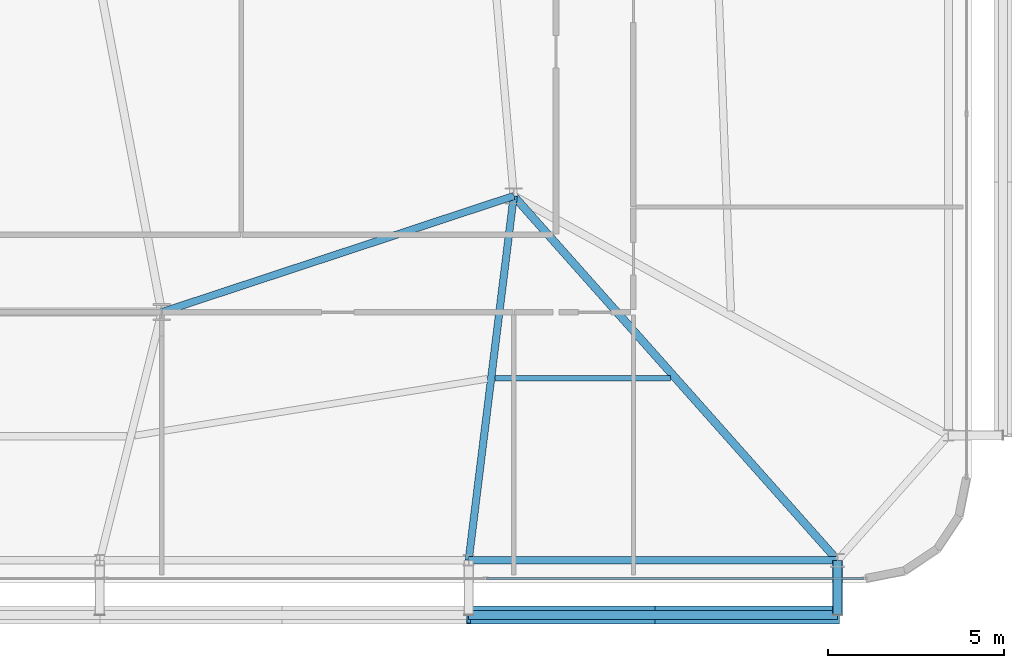
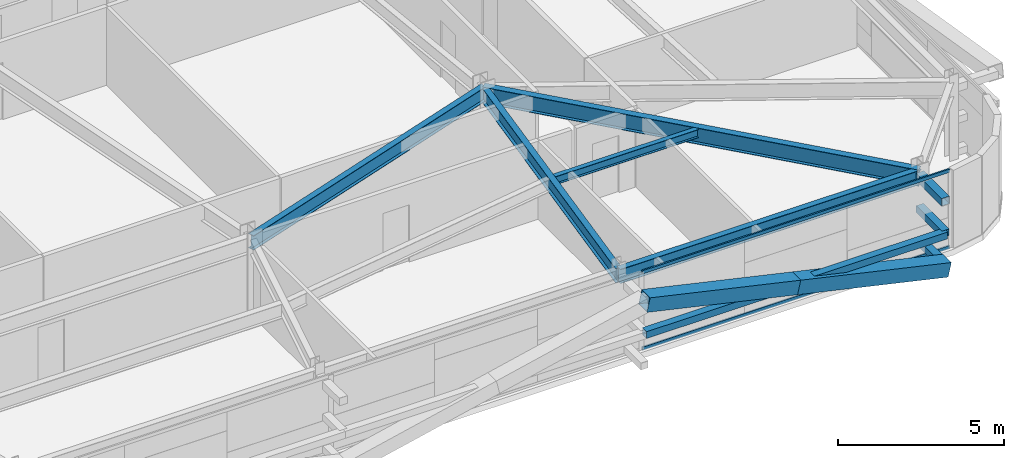
# One storey, part 14 of 45: 8 members, 5 beams, 1 element without a shape of its own.
"""IFC4 building model written with IfcOpenShell, lengths in metres."""

from ifc_helpers import new_model, si_unit, direction, frame, origin, origin_2d, place, context, subcontext, project, spatial, hollow_rectangle, i_section, extrude, source, transform, mapped, material, layer, layer_set, material_profile, profile_set, type_object, element, aggregate, save


model = new_model("IFC4")

# Units and contexts
model_context = context("Model", 3, precision=1e-05, world=origin(), true_north=direction((0.0, 1.0)))
body_context = subcontext(model_context, "Body", "Model", "MODEL_VIEW")
ifc_project = project(units=[si_unit("LENGTHUNIT", "METRE"), si_unit("AREAUNIT", "SQUARE_METRE"), si_unit("VOLUMEUNIT", "CUBIC_METRE"), si_unit("PLANEANGLEUNIT", "RADIAN"), si_unit("MASSUNIT", "GRAM", prefix="KILO")], contexts=[model_context])

# Site, building, storey
site_placement = place(None, origin())
site = spatial("IfcSite", under=ifc_project, at=site_placement, CompositionType="ELEMENT")
building_placement = place(site_placement, origin())
building = spatial("IfcBuilding", under=site, at=building_placement, Name="Taldren Reach Tower", CompositionType="ELEMENT")
storey_placement = place(building_placement, frame((0.0, 0.0, 57.75)))
storey = spatial("IfcBuildingStorey", under=building, at=storey_placement, Name="L17", CompositionType="ELEMENT", Elevation=57.75)

# Beams
ifc_material_1 = material(Name="Steel Gr 350 (350PLUS)", Category="steel")
ifc_material_profile_1 = material_profile(ifc_material_1, i_section(OverallWidth=0.208984375, OverallDepth=0.532958984375, WebThickness=0.01025390625, FlangeThickness=0.015625, at=origin_2d()), Name="530UB92.4")
ifc_profile_set_1 = profile_set([ifc_material_profile_1], Name="Steel Gr 350 (350PLUS)")
beam_type_1 = type_object("IfcBeamType", Name="BM-UB530A", PredefinedType="BEAM", material=ifc_profile_set_1)
shared_shape_1 = source(origin(), body_context, "Body", "SweptSolid", [
    extrude(i_section(OverallWidth=0.208984375, OverallDepth=0.532958984375, WebThickness=0.01025390625, FlangeThickness=0.015625, at=origin_2d()), origin(), (0.0, 0.0, 1.0), 10.530517578125),
])
beam_1_placement = place(storey_placement, frame((42.0, 9.199951171875, 2.603515625), z_axis=(0.949627269203, 0.313381635689, 0.0), x_axis=(-0.313381635689, 0.949627269203, 0.0)))
element("IfcBeam", 1, at=beam_1_placement, inside=storey, type_object=beam_type_1, Name="Core-spine girder L17-SP12", PredefinedType="BEAM", context=body_context, shape_type="MappedRepresentation", body=[
    mapped(shared_shape_1, transform((0.0, 0.0, 0.0), scale=1.0)),
])
ifc_material_profile_2 = material_profile(ifc_material_1, i_section(OverallWidth=0.208984375, OverallDepth=0.528076171875, WebThickness=0.009521484375, FlangeThickness=0.01318359375, at=origin_2d()), Name="530UB82.0")
ifc_profile_set_2 = profile_set([ifc_material_profile_2], Name="Steel Gr 350 (350PLUS)")
beam_type_2 = type_object("IfcBeamType", Name="SP-UB530B", PredefinedType="SPANDREL", material=ifc_profile_set_2)
shared_shape_2 = source(origin(), body_context, "Body", "SweptSolid", [
    extrude(i_section(OverallWidth=0.208984375, OverallDepth=0.528076171875, WebThickness=0.009521484375, FlangeThickness=0.01318359375, at=origin_2d()), origin(), (0.0, 0.0, 1.0), 10.47998046875),
])
beam_2_placement = place(storey_placement, frame((50.719970703125, 2.14990234375, 2.60595703125), z_axis=(1.0, 0.0, 0.0), x_axis=(0.0, 1.0, 0.0)))
element("IfcBeam", 2, at=beam_2_placement, inside=storey, type_object=beam_type_2, Name="Perimeter spandrel B1 S5-S6 L17", PredefinedType="SPANDREL", context=body_context, shape_type="MappedRepresentation", body=[
    mapped(shared_shape_2, transform((0.0, 0.0, 0.0), scale=1.0)),
])
ifc_material_profile_3 = material_profile(ifc_material_1, i_section(OverallWidth=0.22802734375, OverallDepth=0.60205078125, WebThickness=0.010498046875, FlangeThickness=0.014892578125, at=origin_2d()), Name="610UB101")
ifc_profile_set_3 = profile_set([ifc_material_profile_3], Name="Steel Gr 350 (350PLUS)")
beam_type_3 = type_object("IfcBeamType", Name="BM-UB610B", PredefinedType="BEAM", material=ifc_profile_set_3)
shared_shape_3 = source(origin(), body_context, "Body", "SweptSolid", [
    extrude(i_section(OverallWidth=0.22802734375, OverallDepth=0.60205078125, WebThickness=0.010498046875, FlangeThickness=0.014892578125, at=origin_2d()), origin(), (0.0, 0.0, 1.0), 13.847900390625),
])
beam_3_placement = place(storey_placement, frame((52.0, 12.5, 2.569091796875), z_axis=(0.664358367375, -0.747414182164, 0.0), x_axis=(0.747414182164, 0.664358367375, 0.0)))
element("IfcBeam", 3, at=beam_3_placement, inside=storey, type_object=beam_type_3, Name="Primary floor girder B1-S6 L17", PredefinedType="BEAM", context=body_context, shape_type="MappedRepresentation", body=[
    mapped(shared_shape_3, transform((0.0, 0.0, 0.0), scale=1.0)),
])
shared_shape_4 = source(origin(), body_context, "Body", "SweptSolid", [
    extrude(i_section(OverallWidth=0.208984375, OverallDepth=0.532958984375, WebThickness=0.01025390625, FlangeThickness=0.015625, at=origin_2d()), origin(), (0.0, 0.0, 1.0), 10.428955078125),
])
beam_4_placement = place(storey_placement, frame((52.0, 12.5, 2.603515625), z_axis=(-0.122738080664, -0.992439098159, 0.0), x_axis=(0.992439098159, -0.122738080664, 0.0)))
element("IfcBeam", 4, at=beam_4_placement, inside=storey, type_object=beam_type_1, Name="Primary floor girder B1-S5 L17", PredefinedType="BEAM", context=body_context, shape_type="MappedRepresentation", body=[
    mapped(shared_shape_4, transform((0.0, 0.0, 0.0), scale=1.0)),
])
ifc_material_2 = material(Name="Steel Gr 300 (300PLUS, 300 MPa)", Category="steel")
ifc_material_profile_4 = material_profile(ifc_material_2, i_section(OverallWidth=0.166015625, OverallDepth=0.306884765625, WebThickness=0.006591796875, FlangeThickness=0.01171875, at=origin_2d()), Name="310UB46.2")
ifc_profile_set_4 = profile_set([ifc_material_profile_4], Name="Steel Gr 300 (300PLUS, 300 MPa)")
beam_type_4 = type_object("IfcBeamType", Name="JS-UB310", PredefinedType="JOIST", material=ifc_profile_set_4)
shared_shape_5 = source(origin(), body_context, "Body", "SweptSolid", [
    extrude(i_section(OverallWidth=0.166015625, OverallDepth=0.306884765625, WebThickness=0.006591796875, FlangeThickness=0.01171875, at=origin_2d()), origin(), (0.0, 0.0, 1.0), 4.982177734375),
])
beam_5_placement = place(storey_placement, frame((51.46533203125, 7.324951171875, 2.716552734375), z_axis=(1.0, 0.0, 0.0), x_axis=(0.0, 1.0, 0.0)))
element("IfcBeam", 5, at=beam_5_placement, inside=storey, type_object=beam_type_4, Name="Secondary floor joist B1 J5 L17", PredefinedType="JOIST", context=body_context, shape_type="MappedRepresentation", body=[
    mapped(shared_shape_5, transform((0.0, 0.0, 0.0), scale=1.0)),
])

# Members
ifc_material_3 = material(Name="Steel Gr 450 (C450L0)", Category="steel")
ifc_material_profile_5 = material_profile(ifc_material_3, hollow_rectangle(XDim=0.27490234375, YDim=0.27490234375, WallThickness=0.00927734375, at=origin_2d()), Name="275x275x9.3SHS")
ifc_profile_set_5 = profile_set([ifc_material_profile_5], Name="Steel Gr 450 (C450L0)")
member_type_1 = type_object("IfcMemberType", Name="MB-TIE273", PredefinedType="STRUT", material=ifc_profile_set_5)
shared_shape_6 = source(origin(), body_context, "Body", "SweptSolid", [
    extrude(hollow_rectangle(XDim=0.27490234375, YDim=0.27490234375, WallThickness=0.00927734375, at=origin_2d()), origin(), (0.0, 0.0, 1.0), 1.5498046875),
])
member_1_placement = place(storey_placement, frame((61.199951171875, 2.14990234375, 2.590087890625), z_axis=(0.0, -1.0, 0.0), x_axis=(1.0, 0.0, 0.0)))
element("IfcMember", 6, at=member_1_placement, inside=storey, type_object=member_type_1, Name="Exoskeleton diaphragm tie strut B1-S6 L17", PredefinedType="STRUT", context=body_context, shape_type="MappedRepresentation", body=[
    mapped(shared_shape_6, transform((0.0, 0.0, 0.0), scale=1.0)),
])
ifc_material_4 = material(Name="Steel Gr 350 (C350L0)", Category="steel")
ifc_material_profile_6 = material_profile(ifc_material_4, hollow_rectangle(XDim=0.25, YDim=0.25, WallThickness=0.010009765625, at=origin_2d()), Name="250x250x10.0SHS")
ifc_profile_set_6 = profile_set([ifc_material_profile_6], Name="Steel Gr 350 (C350L0)")
member_type_2 = type_object("IfcMemberType", Name="MB-POST250", PredefinedType="POST", material=ifc_profile_set_6)
shared_shape_7 = source(origin(), body_context, "Body", "SweptSolid", [
    extrude(hollow_rectangle(XDim=0.25, YDim=0.25, WallThickness=0.010009765625, at=origin_2d()), origin(), (0.0, 0.0, 1.0), 10.47998046875),
])
member_2_placement = place(storey_placement, frame((50.719970703125, 0.60009765625, 1.405029296875), z_axis=(1.0, 0.0, 0.0), x_axis=(0.0, 1.0, 0.0)))
element("IfcMember", 7, at=member_2_placement, inside=storey, type_object=member_type_2, Name="Exoskeleton mid-height ring chord B1-S5 L17", PredefinedType="POST", context=body_context, shape_type="MappedRepresentation", body=[
    mapped(shared_shape_7, transform((0.0, 0.0, 0.0), scale=1.0)),
])
shared_shape_8 = source(origin(), body_context, "Body", "SweptSolid", [
    extrude(hollow_rectangle(XDim=0.25, YDim=0.25, WallThickness=0.010009765625, at=origin_2d()), origin(), (0.0, 0.0, 1.0), 1.5498046875),
])
for number, where, z_axis, x_axis, name in (
    (8, (61.199951171875, 2.14990234375, 0.219970703125), (0.0, -1.0, 0.0), (1.0, 0.0, 0.0), "Exoskeleton base diaphragm tie strut B1-S6 L17"),
    (9, (61.199951171875, 2.14990234375, 1.405029296875), (0.0, -1.0, 0.0), (1.0, 0.0, 0.0), "Exoskeleton mid-tier diaphragm tie B1-S6 L17"),
):
    element("IfcMember", number, at=place(storey_placement, frame(where, z_axis=z_axis, x_axis=x_axis)), inside=storey, type_object=member_type_2, Name=name, PredefinedType="POST", context=body_context, shape_type="MappedRepresentation", body=[
        mapped(shared_shape_8, transform((0.0, 0.0, 0.0), scale=1.0)),
    ])
ifc_material_profile_7 = material_profile(ifc_material_3, hollow_rectangle(XDim=0.510009765625, YDim=0.510009765625, WallThickness=0.02001953125, at=origin_2d()), Name="510x510x20.0SHS")
ifc_profile_set_7 = profile_set([ifc_material_profile_7], Name="Steel Gr 450 (C450L0)")
member_type_3 = type_object("IfcMemberType", Name="MB-EXO508", PredefinedType="BRACE", material=ifc_profile_set_7)
shared_shape_9 = source(origin(), body_context, "Body", "SweptSolid", [
    extrude(hollow_rectangle(XDim=0.510009765625, YDim=0.510009765625, WallThickness=0.02001953125, at=origin_2d()), origin(), (0.0, 0.0, 1.0), 5.372314453125),
])
for number, where, z_axis, x_axis, name in (
    (10, (61.199951171875, 0.60009765625, 0.219970703125), (-0.975367562392, 0.0, 0.220585852297), (0.0, -1.0, 0.0), "Exoskeleton Diagrid Brace B1-S5 L17"),
    (11, (55.9599609375, 0.60009765625, 1.405029296875), (-0.975367562392, 0.0, 0.220585852297), (0.0, -1.0, 0.0), "Exoskeleton Diagrid Brace B1-S5 L17"),
):
    element("IfcMember", number, at=place(storey_placement, frame(where, z_axis=z_axis, x_axis=x_axis)), inside=storey, type_object=member_type_3, Name=name, PredefinedType="BRACE", context=body_context, shape_type="MappedRepresentation", body=[
        mapped(shared_shape_9, transform((0.0, 0.0, 0.0), scale=1.0)),
    ])

# Curtain wall, members
ifc_material_5 = material(Name="Aluminium and Low-E Glass Unitised System", Category="aluminium")
ifc_layer = layer(ifc_material_5, 0.159912109375)
ifc_layer_set = layer_set([ifc_layer], Name="Aluminium and Low-E Glass Unitised System")
curtain_wall_type = type_object("IfcCurtainWallType", Name="CW-SYS-2", PredefinedType="NOTDEFINED", material=ifc_layer_set)
curtain_wall_placement = place(storey_placement, origin())
curtain_wall = element("IfcCurtainWall", 12, at=curtain_wall_placement, inside=storey, type_object=curtain_wall_type, Name="Unitised curtain wall CW-L17-S", PredefinedType="NOTDEFINED")
ifc_material_6 = material(Name="Anodised Aluminium 6063-T6", Category="aluminium")
ifc_material_profile_8 = material_profile(ifc_material_6, hollow_rectangle(XDim=0.054931640625, YDim=0.1201171875, WallThickness=0.0029296875, at=origin_2d()), Name="ALU-120x55x3RHS")
ifc_profile_set_8 = profile_set([ifc_material_profile_8], Name="Anodised Aluminium 6063-T6")
member_type_4 = type_object("IfcMemberType", Name="CW-TRN-135", PredefinedType="USERDEFINED", material=ifc_profile_set_8)
shared_shape_10 = source(origin(), body_context, "Body", "SweptSolid", [
    extrude(hollow_rectangle(XDim=0.054931640625, YDim=0.1201171875, WallThickness=0.0029296875, at=origin_2d()), origin(), (0.0, 0.0, 1.0), 10.70263671875),
])
member_3_placement = place(storey_placement, frame((51.232421875, 1.639892578125, 0.027587890625), z_axis=(1.0, 0.0, 0.0), x_axis=(0.0, 1.0, 0.0)))
member_3 = element("IfcMember", 13, at=member_3_placement, type_object=member_type_4, Name="CW-2 transom 5.1", ObjectType="TRANSOM", PredefinedType="USERDEFINED", context=body_context, shape_type="MappedRepresentation", body=[
    mapped(shared_shape_10, transform((0.0, 0.0, 0.0), scale=1.0)),
])
member_4_placement = place(storey_placement, frame((51.232421875, 1.639892578125, 2.842529296875), z_axis=(1.0, 0.0, 0.0), x_axis=(0.0, 1.0, 0.0)))
member_4 = element("IfcMember", 14, at=member_4_placement, type_object=member_type_4, Name="CW-2 transom 5.2", ObjectType="TRANSOM", PredefinedType="USERDEFINED", context=body_context, shape_type="MappedRepresentation", body=[
    mapped(shared_shape_10, transform((0.0, 0.0, 0.0), scale=1.0)),
])
aggregate(curtain_wall, [member_3, member_4])

save(model, "model.ifc")
